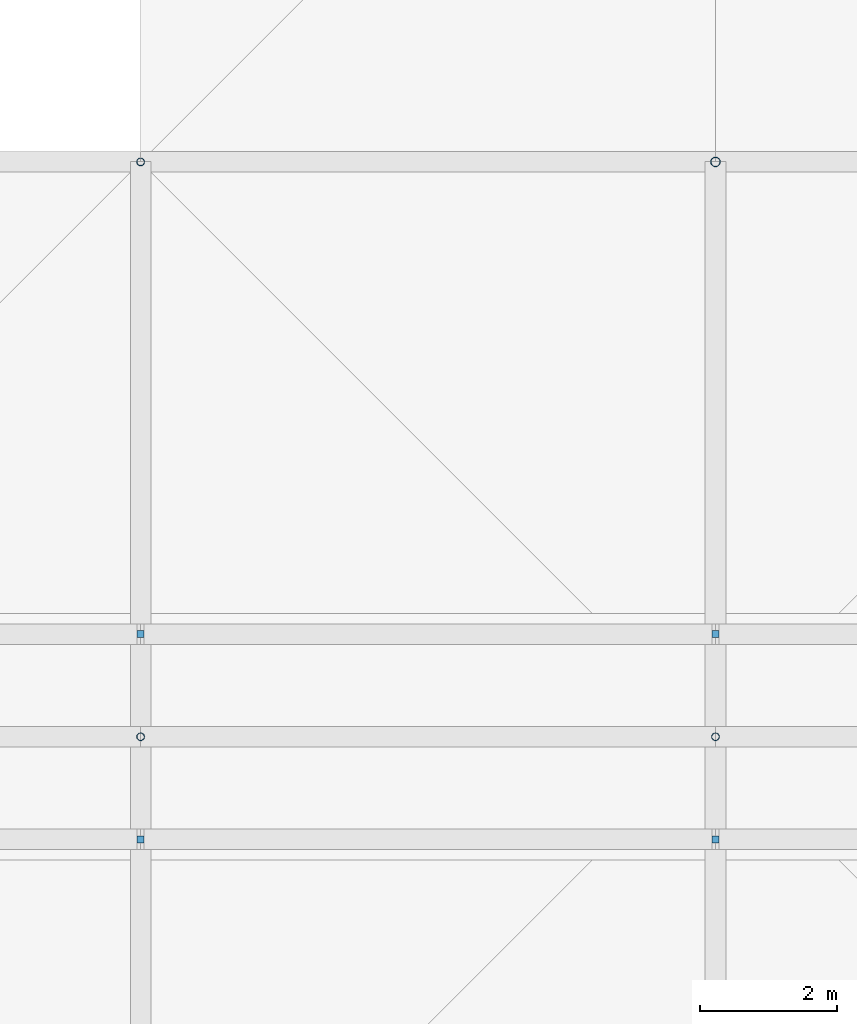
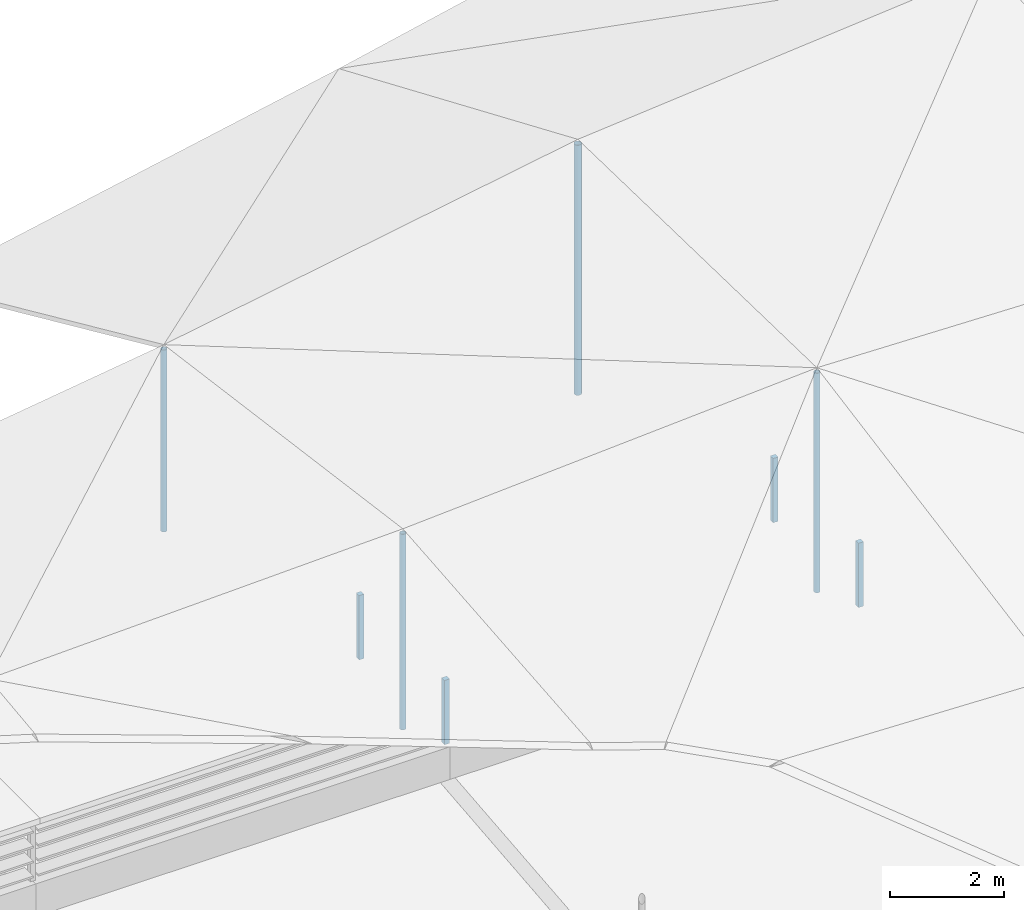
# One storey, part 12 of 46: 8 discrete accessories.
"""IFC4 building model written with IfcOpenShell, lengths in metres."""

from ifc_helpers import new_model, si_unit, direction, frame, origin, origin_2d, place, context, subcontext, project, spatial, rectangle, hollow_circle, extrude, material, layer, layer_set, material_profile, profile_set, type_object, element, save


model = new_model("IFC4")

# Units and contexts
model_context = context("Model", 3, precision=1e-05, world=origin(), true_north=direction((0.0, 1.0)))
body_context = subcontext(model_context, "Body", "Model", "MODEL_VIEW")
ifc_project = project(units=[si_unit("LENGTHUNIT", "METRE"), si_unit("AREAUNIT", "SQUARE_METRE"), si_unit("VOLUMEUNIT", "CUBIC_METRE"), si_unit("PLANEANGLEUNIT", "RADIAN"), si_unit("MASSUNIT", "GRAM", prefix="KILO")], contexts=[model_context])

# Site, building, storey
site_placement = place(None, origin())
site = spatial("IfcSite", under=ifc_project, at=site_placement, CompositionType="ELEMENT")
building_placement = place(site_placement, origin())
building = spatial("IfcBuilding", under=site, at=building_placement, Name="Rain Tree Exposition and Congress Centre", CompositionType="ELEMENT")
storey_placement = place(building_placement, frame((0.0, 0.0, 27.0)))
storey = spatial("IfcBuildingStorey", under=building, at=storey_placement, Name="ROOF VAULT CREST", CompositionType="ELEMENT", Elevation=27.0)

# Discrete accessories
ifc_material_1 = material(Name="Steel S355J2", Category="steel")
ifc_layer = layer(ifc_material_1, 0.10009765625)
ifc_layer_set = layer_set([ifc_layer], Name="Steel S355J2")
discrete_accessory_type_1 = type_object("IfcDiscreteAccessoryType", Name="Ridge lantern post 100", PredefinedType="BRACKET", material=ifc_layer_set)
for number, where, z_axis, x_axis, name in (
    (1, (159.60009765625, 124.5, 2.0), (0.0, 0.0, 1.0), (1.0, 0.0, 0.0), "Lantern post S2"),
    (2, (168.0, 124.5, 2.0), (0.0, 0.0, 1.0), (1.0, 0.0, 0.0), "Lantern post S3"),
    (3, (159.60009765625, 127.5, 2.0), (0.0, 0.0, 1.0), (1.0, 0.0, 0.0), "Lantern post N2"),
    (4, (168.0, 127.5, 2.0), (0.0, 0.0, 1.0), (1.0, 0.0, 0.0), "Lantern post N3"),
):
    element("IfcDiscreteAccessory", number, at=place(storey_placement, frame(where, z_axis=z_axis, x_axis=x_axis)), inside=storey, type_object=discrete_accessory_type_1, Name=name, PredefinedType="BRACKET", context=body_context, shape_type="SweptSolid", body=[
        extrude(rectangle(XDim=0.10009765625, YDim=0.10009765625, at=origin_2d()), origin(), (0.0, 0.0, 1.0), 1.3798828125),
    ])
ifc_material_2 = material(Name="Steel S355J2H", Category="steel")
ifc_material_profile_1 = material_profile(ifc_material_2, hollow_circle(Radius=0.05712890625, WallThickness=0.00439453125, at=origin_2d()), Name="CHS 114x4.5")
ifc_profile_set_1 = profile_set([ifc_material_profile_1], Name="Steel S355J2H")
discrete_accessory_type_2 = type_object("IfcDiscreteAccessoryType", Name="Roof skin post CHS 114x4.5", PredefinedType="BRACKET", material=ifc_profile_set_1)
discrete_accessory_1_placement = place(storey_placement, frame((159.60009765625, 126.0, 1.39990234375), z_axis=(0.0, 0.0, 1.0), x_axis=(1.0, 0.0, 0.0)))
element("IfcDiscreteAccessory", 5, at=discrete_accessory_1_placement, inside=storey, type_object=discrete_accessory_type_2, Name="Roof skin post B42", PredefinedType="BRACKET", context=body_context, shape_type="SweptSolid", body=[
    extrude(hollow_circle(Radius=0.05712890625, WallThickness=0.00439453125, at=origin_2d()), origin(), (0.0, 0.0, 1.0), 4.197265625),
])
discrete_accessory_2_placement = place(storey_placement, frame((168.0, 126.0, 1.39990234375), z_axis=(0.0, 0.0, 1.0), x_axis=(1.0, 0.0, 0.0)))
element("IfcDiscreteAccessory", 6, at=discrete_accessory_2_placement, inside=storey, type_object=discrete_accessory_type_2, Name="Roof skin post B43", PredefinedType="BRACKET", context=body_context, shape_type="SweptSolid", body=[
    extrude(hollow_circle(Radius=0.05712890625, WallThickness=0.00439453125, at=origin_2d()), origin(), (0.0, 0.0, 1.0), 4.710693359375),
])
discrete_accessory_3_placement = place(storey_placement, frame((159.60009765625, 134.39990234375, 0.551025390625), z_axis=(0.0, 0.0, 1.0), x_axis=(1.0, 0.0, 0.0)))
element("IfcDiscreteAccessory", 7, at=discrete_accessory_3_placement, inside=storey, type_object=discrete_accessory_type_2, Name="Roof skin post B55", PredefinedType="BRACKET", context=body_context, shape_type="SweptSolid", body=[
    extrude(hollow_circle(Radius=0.05712890625, WallThickness=0.00439453125, at=origin_2d()), origin(), (0.0, 0.0, 1.0), 3.902587890625),
])
ifc_material_3 = material(Name="Steel S355J2H", Category="steel")
ifc_material_profile_2 = material_profile(ifc_material_3, hollow_circle(Radius=0.06982421875, WallThickness=0.0048828125, at=origin_2d()), Name="CHS 140x5")
ifc_profile_set_2 = profile_set([ifc_material_profile_2], Name="Steel S355J2H")
discrete_accessory_type_3 = type_object("IfcDiscreteAccessoryType", Name="Roof skin post CHS 140x5", PredefinedType="BRACKET", material=ifc_profile_set_2)
discrete_accessory_4_placement = place(storey_placement, frame((168.0, 134.39990234375, 0.551025390625), z_axis=(0.0, 0.0, 1.0), x_axis=(1.0, 0.0, 0.0)))
element("IfcDiscreteAccessory", 8, at=discrete_accessory_4_placement, inside=storey, type_object=discrete_accessory_type_3, Name="Roof skin post B56", PredefinedType="BRACKET", context=body_context, shape_type="SweptSolid", body=[
    extrude(hollow_circle(Radius=0.06982421875, WallThickness=0.0048828125, at=origin_2d()), origin(), (0.0, 0.0, 1.0), 5.365478515625),
])

save(model, "model.ifc")
